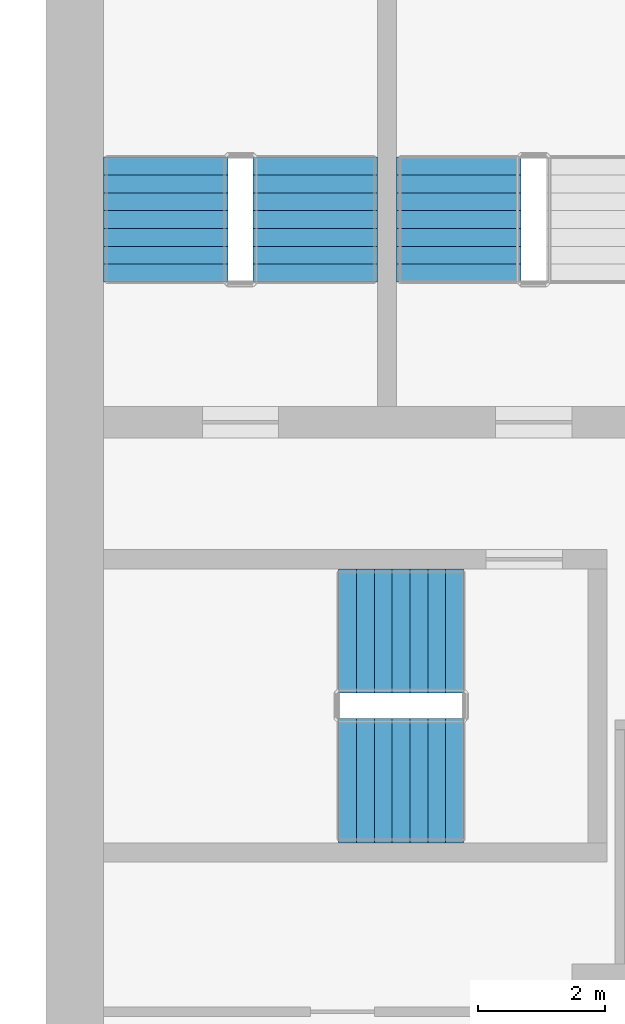
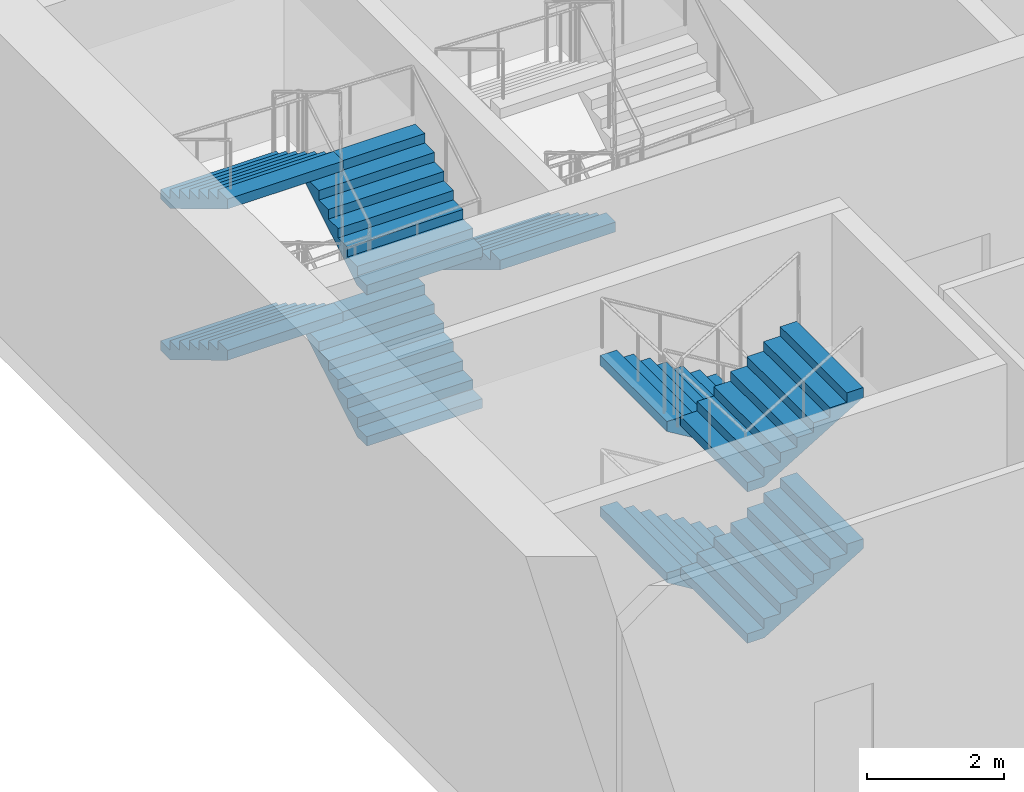
# One storey, part 25 of 43: 9 stair flights, 3 elements without a shape of their own.
"""IFC4 building model written with IfcOpenShell, lengths in metres."""

from ifc_helpers import new_model, si_unit, direction, frame, origin, place, context, subcontext, project, spatial, polyline, outline, extrude, material, type_object, element, aggregate, save


model = new_model("IFC4")

# Units and contexts
model_context = context("Model", 3, precision=1e-05, world=origin(), true_north=direction((0.0, 1.0)))
body_context = subcontext(model_context, "Body", "Model", "MODEL_VIEW")
ifc_project = project(units=[si_unit("LENGTHUNIT", "METRE"), si_unit("AREAUNIT", "SQUARE_METRE"), si_unit("VOLUMEUNIT", "CUBIC_METRE"), si_unit("PLANEANGLEUNIT", "RADIAN"), si_unit("MASSUNIT", "GRAM", prefix="KILO")], contexts=[model_context])

# Site, building, storey
site_placement = place(None, origin())
site = spatial("IfcSite", under=ifc_project, at=site_placement, CompositionType="ELEMENT")
building_placement = place(site_placement, origin())
building = spatial("IfcBuilding", under=site, at=building_placement, Name="Hunhe Ridgeline Campus", CompositionType="ELEMENT")
storey_placement = place(building_placement, frame((0.0, 0.0, 11.39990234375)))
storey = spatial("IfcBuildingStorey", under=building, at=storey_placement, Name="L02", CompositionType="ELEMENT", Elevation=11.39990234375)

# Stair, stair flights
ifc_material = material(Name="Concrete C40", Category="concrete")
stair_type = type_object("IfcStairType", Name="Reinforced concrete dog-leg stair 1950 Concrete C40", PredefinedType="HALF_TURN_STAIR", material=ifc_material)
stair_1_placement = place(storey_placement, origin())
stair_1 = element("IfcStair", 1, at=stair_1_placement, inside=storey, type_object=stair_type, Name="L02 S3", PredefinedType="HALF_TURN_STAIR")
stair_flight_type = type_object("IfcStairFlightType", Name="Reinforced concrete stair flight 1950 Concrete C40", PredefinedType="STRAIGHT", material=ifc_material)
stair_flight_1_placement = place(storey_placement, frame((4.22509765625, 65.449951171875, 0.0), z_axis=(0.0, 0.0, 1.0), x_axis=(0.0, 1.0, 0.0)))
stair_flight_1 = element("IfcStairFlight", 2, at=stair_flight_1_placement, type_object=stair_flight_type, Name="ST3 flight 1", NumberOfRisers=8, NumberOfTreads=7, PredefinedType="STRAIGHT", RiserHeight=0.16875, TreadLength=0.28, context=body_context, shape_type="SweptSolid", body=[
    extrude(outline(polyline([(0.0, 0.0), (0.0, 0.168701171875), (0.280029296875, 0.168701171875), (0.280029296875, 0.33740234375), (0.56005859375, 0.33740234375), (0.56005859375, 0.50634765625), (0.840087890625, 0.50634765625), (0.840087890625, 0.675048828125), (1.1201171875, 0.675048828125), (1.1201171875, 0.84375), (1.39990234375, 0.84375), (1.39990234375, 1.012451171875), (1.679931640625, 1.012451171875), (1.679931640625, 1.18115234375), (1.9599609375, 1.18115234375), (1.9599609375, 1.35009765625), (1.9599609375, 1.00634765625), (0.29052734375, 0.0), (0.0, 0.0)])), frame((0.0, 0.97509765625, 0.0), z_axis=(0.0, -1.0, 0.0), x_axis=(1.0, 0.0, 0.0)), (0.0, 0.0, 1.0), 1.949951171875),
    extrude(outline(polyline([(0.030029296875, 0.030029296875), (0.030029296875, 0.138916015625), (0.31005859375, 0.138916015625), (0.31005859375, 0.3076171875), (0.590087890625, 0.3076171875), (0.590087890625, 0.476318359375), (0.8701171875, 0.476318359375), (0.8701171875, 0.64501953125), (1.14990234375, 0.64501953125), (1.14990234375, 0.813720703125), (1.429931640625, 0.813720703125), (1.429931640625, 0.982421875), (1.7099609375, 0.982421875), (1.7099609375, 1.1513671875), (1.929931640625, 1.1513671875), (1.929931640625, 1.023193359375), (0.281982421875, 0.030029296875), (0.030029296875, 0.030029296875)])), frame((0.0, -0.070068359375, 0.0), z_axis=(0.0, -1.0, 0.0), x_axis=(1.0, 0.0, 0.0)), (0.0, 0.0, 1.0), 0.019775390625),
    extrude(outline(polyline([(0.030029296875, 0.030029296875), (0.030029296875, 0.138916015625), (0.31005859375, 0.138916015625), (0.31005859375, 0.3076171875), (0.590087890625, 0.3076171875), (0.590087890625, 0.476318359375), (0.8701171875, 0.476318359375), (0.8701171875, 0.64501953125), (1.14990234375, 0.64501953125), (1.14990234375, 0.813720703125), (1.429931640625, 0.813720703125), (1.429931640625, 0.982421875), (1.7099609375, 0.982421875), (1.7099609375, 1.1513671875), (1.929931640625, 1.1513671875), (1.929931640625, 1.023193359375), (0.281982421875, 0.030029296875), (0.030029296875, 0.030029296875)])), frame((0.0, 0.010009765625, 0.0), z_axis=(0.0, -1.0, 0.0), x_axis=(1.0, 0.0, 0.0)), (0.0, 0.0, 1.0), 0.019775390625),
    extrude(outline(polyline([(0.030029296875, 0.030029296875), (0.030029296875, 0.138916015625), (0.31005859375, 0.138916015625), (0.31005859375, 0.3076171875), (0.590087890625, 0.3076171875), (0.590087890625, 0.476318359375), (0.8701171875, 0.476318359375), (0.8701171875, 0.64501953125), (1.14990234375, 0.64501953125), (1.14990234375, 0.813720703125), (1.429931640625, 0.813720703125), (1.429931640625, 0.982421875), (1.7099609375, 0.982421875), (1.7099609375, 1.1513671875), (1.929931640625, 1.1513671875), (1.929931640625, 1.023193359375), (0.281982421875, 0.030029296875), (0.030029296875, 0.030029296875)])), frame((0.0, 0.090087890625, 0.0), z_axis=(0.0, -1.0, 0.0), x_axis=(1.0, 0.0, 0.0)), (0.0, 0.0, 1.0), 0.019775390625),
])
stair_flight_2_placement = place(storey_placement, frame((1.875, 67.409912109375, 1.35009765625), z_axis=(0.0, 0.0, 1.0), x_axis=(0.0, -1.0, 0.0)))
stair_flight_2 = element("IfcStairFlight", 3, at=stair_flight_2_placement, type_object=stair_flight_type, Name="ST3 flight 2", NumberOfRisers=8, NumberOfTreads=7, PredefinedType="STRAIGHT", RiserHeight=0.16875, TreadLength=0.28, context=body_context, shape_type="SweptSolid", body=[
    extrude(outline(polyline([(0.0, 0.0), (0.0, 0.168701171875), (0.280029296875, 0.168701171875), (0.280029296875, 0.33740234375), (0.56005859375, 0.33740234375), (0.56005859375, 0.50634765625), (0.840087890625, 0.50634765625), (0.840087890625, 0.675048828125), (1.1201171875, 0.675048828125), (1.1201171875, 0.84375), (1.39990234375, 0.84375), (1.39990234375, 1.012451171875), (1.679931640625, 1.012451171875), (1.679931640625, 1.18115234375), (1.9599609375, 1.18115234375), (1.9599609375, 1.35009765625), (1.9599609375, 1.00634765625), (0.29052734375, 0.0), (0.0, 0.0)])), frame((0.0, 0.97509765625, 0.0), z_axis=(0.0, -1.0, 0.0), x_axis=(1.0, 0.0, 0.0)), (0.0, 0.0, 1.0), 1.949951171875),
    extrude(outline(polyline([(0.030029296875, 0.030029296875), (0.030029296875, 0.138916015625), (0.31005859375, 0.138916015625), (0.31005859375, 0.3076171875), (0.590087890625, 0.3076171875), (0.590087890625, 0.476318359375), (0.8701171875, 0.476318359375), (0.8701171875, 0.64501953125), (1.14990234375, 0.64501953125), (1.14990234375, 0.813720703125), (1.429931640625, 0.813720703125), (1.429931640625, 0.982421875), (1.7099609375, 0.982421875), (1.7099609375, 1.1513671875), (1.929931640625, 1.1513671875), (1.929931640625, 1.023193359375), (0.281982421875, 0.030029296875), (0.030029296875, 0.030029296875)])), frame((0.0, -0.070068359375, 0.0), z_axis=(0.0, -1.0, 0.0), x_axis=(1.0, 0.0, 0.0)), (0.0, 0.0, 1.0), 0.019775390625),
    extrude(outline(polyline([(0.030029296875, 0.030029296875), (0.030029296875, 0.138916015625), (0.31005859375, 0.138916015625), (0.31005859375, 0.3076171875), (0.590087890625, 0.3076171875), (0.590087890625, 0.476318359375), (0.8701171875, 0.476318359375), (0.8701171875, 0.64501953125), (1.14990234375, 0.64501953125), (1.14990234375, 0.813720703125), (1.429931640625, 0.813720703125), (1.429931640625, 0.982421875), (1.7099609375, 0.982421875), (1.7099609375, 1.1513671875), (1.929931640625, 1.1513671875), (1.929931640625, 1.023193359375), (0.281982421875, 0.030029296875), (0.030029296875, 0.030029296875)])), frame((0.0, 0.010009765625, 0.0), z_axis=(0.0, -1.0, 0.0), x_axis=(1.0, 0.0, 0.0)), (0.0, 0.0, 1.0), 0.019775390625),
    extrude(outline(polyline([(0.030029296875, 0.030029296875), (0.030029296875, 0.138916015625), (0.31005859375, 0.138916015625), (0.31005859375, 0.3076171875), (0.590087890625, 0.3076171875), (0.590087890625, 0.476318359375), (0.8701171875, 0.476318359375), (0.8701171875, 0.64501953125), (1.14990234375, 0.64501953125), (1.14990234375, 0.813720703125), (1.429931640625, 0.813720703125), (1.429931640625, 0.982421875), (1.7099609375, 0.982421875), (1.7099609375, 1.1513671875), (1.929931640625, 1.1513671875), (1.929931640625, 1.023193359375), (0.281982421875, 0.030029296875), (0.030029296875, 0.030029296875)])), frame((0.0, 0.090087890625, 0.0), z_axis=(0.0, -1.0, 0.0), x_axis=(1.0, 0.0, 0.0)), (0.0, 0.0, 1.0), 0.019775390625),
])
stair_flight_3_placement = place(storey_placement, frame((4.22509765625, 65.449951171875, 2.7001953125), z_axis=(0.0, 0.0, 1.0), x_axis=(0.0, 1.0, 0.0)))
stair_flight_3 = element("IfcStairFlight", 4, at=stair_flight_3_placement, type_object=stair_flight_type, Name="ST3 flight 3", NumberOfRisers=8, NumberOfTreads=7, PredefinedType="STRAIGHT", RiserHeight=0.16875, TreadLength=0.28, context=body_context, shape_type="SweptSolid", body=[
    extrude(outline(polyline([(0.0, 0.0), (0.0, 0.168701171875), (0.280029296875, 0.168701171875), (0.280029296875, 0.33740234375), (0.56005859375, 0.33740234375), (0.56005859375, 0.50634765625), (0.840087890625, 0.50634765625), (0.840087890625, 0.675048828125), (1.1201171875, 0.675048828125), (1.1201171875, 0.84375), (1.39990234375, 0.84375), (1.39990234375, 1.012451171875), (1.679931640625, 1.012451171875), (1.679931640625, 1.18115234375), (1.9599609375, 1.18115234375), (1.9599609375, 1.35009765625), (1.9599609375, 1.00634765625), (0.29052734375, 0.0), (0.0, 0.0)])), frame((0.0, 0.97509765625, 0.0), z_axis=(0.0, -1.0, 0.0), x_axis=(1.0, 0.0, 0.0)), (0.0, 0.0, 1.0), 1.949951171875),
    extrude(outline(polyline([(0.030029296875, 0.030029296875), (0.030029296875, 0.138916015625), (0.31005859375, 0.138916015625), (0.31005859375, 0.3076171875), (0.590087890625, 0.3076171875), (0.590087890625, 0.476318359375), (0.8701171875, 0.476318359375), (0.8701171875, 0.64501953125), (1.14990234375, 0.64501953125), (1.14990234375, 0.813720703125), (1.429931640625, 0.813720703125), (1.429931640625, 0.982421875), (1.7099609375, 0.982421875), (1.7099609375, 1.1513671875), (1.929931640625, 1.1513671875), (1.929931640625, 1.023193359375), (0.281982421875, 0.030029296875), (0.030029296875, 0.030029296875)])), frame((0.0, -0.070068359375, 0.0), z_axis=(0.0, -1.0, 0.0), x_axis=(1.0, 0.0, 0.0)), (0.0, 0.0, 1.0), 0.019775390625),
    extrude(outline(polyline([(0.030029296875, 0.030029296875), (0.030029296875, 0.138916015625), (0.31005859375, 0.138916015625), (0.31005859375, 0.3076171875), (0.590087890625, 0.3076171875), (0.590087890625, 0.476318359375), (0.8701171875, 0.476318359375), (0.8701171875, 0.64501953125), (1.14990234375, 0.64501953125), (1.14990234375, 0.813720703125), (1.429931640625, 0.813720703125), (1.429931640625, 0.982421875), (1.7099609375, 0.982421875), (1.7099609375, 1.1513671875), (1.929931640625, 1.1513671875), (1.929931640625, 1.023193359375), (0.281982421875, 0.030029296875), (0.030029296875, 0.030029296875)])), frame((0.0, 0.010009765625, 0.0), z_axis=(0.0, -1.0, 0.0), x_axis=(1.0, 0.0, 0.0)), (0.0, 0.0, 1.0), 0.019775390625),
    extrude(outline(polyline([(0.030029296875, 0.030029296875), (0.030029296875, 0.138916015625), (0.31005859375, 0.138916015625), (0.31005859375, 0.3076171875), (0.590087890625, 0.3076171875), (0.590087890625, 0.476318359375), (0.8701171875, 0.476318359375), (0.8701171875, 0.64501953125), (1.14990234375, 0.64501953125), (1.14990234375, 0.813720703125), (1.429931640625, 0.813720703125), (1.429931640625, 0.982421875), (1.7099609375, 0.982421875), (1.7099609375, 1.1513671875), (1.929931640625, 1.1513671875), (1.929931640625, 1.023193359375), (0.281982421875, 0.030029296875), (0.030029296875, 0.030029296875)])), frame((0.0, 0.090087890625, 0.0), z_axis=(0.0, -1.0, 0.0), x_axis=(1.0, 0.0, 0.0)), (0.0, 0.0, 1.0), 0.019775390625),
])
stair_flight_4_placement = place(storey_placement, frame((1.875, 67.409912109375, 4.050048828125), z_axis=(0.0, 0.0, 1.0), x_axis=(0.0, -1.0, 0.0)))
stair_flight_4 = element("IfcStairFlight", 5, at=stair_flight_4_placement, type_object=stair_flight_type, Name="ST3 flight 4", NumberOfRisers=8, NumberOfTreads=7, PredefinedType="STRAIGHT", RiserHeight=0.16875, TreadLength=0.28, context=body_context, shape_type="SweptSolid", body=[
    extrude(outline(polyline([(0.0, 0.0), (0.0, 0.168701171875), (0.280029296875, 0.168701171875), (0.280029296875, 0.33740234375), (0.56005859375, 0.33740234375), (0.56005859375, 0.50634765625), (0.840087890625, 0.50634765625), (0.840087890625, 0.675048828125), (1.1201171875, 0.675048828125), (1.1201171875, 0.84375), (1.39990234375, 0.84375), (1.39990234375, 1.012451171875), (1.679931640625, 1.012451171875), (1.679931640625, 1.18115234375), (1.9599609375, 1.18115234375), (1.9599609375, 1.35009765625), (1.9599609375, 1.00634765625), (0.29052734375, 0.0), (0.0, 0.0)])), frame((0.0, 0.97509765625, 0.0), z_axis=(0.0, -1.0, 0.0), x_axis=(1.0, 0.0, 0.0)), (0.0, 0.0, 1.0), 1.949951171875),
    extrude(outline(polyline([(0.030029296875, 0.030029296875), (0.030029296875, 0.138916015625), (0.31005859375, 0.138916015625), (0.31005859375, 0.3076171875), (0.590087890625, 0.3076171875), (0.590087890625, 0.476318359375), (0.8701171875, 0.476318359375), (0.8701171875, 0.64501953125), (1.14990234375, 0.64501953125), (1.14990234375, 0.813720703125), (1.429931640625, 0.813720703125), (1.429931640625, 0.982421875), (1.7099609375, 0.982421875), (1.7099609375, 1.1513671875), (1.929931640625, 1.1513671875), (1.929931640625, 1.023193359375), (0.281982421875, 0.030029296875), (0.030029296875, 0.030029296875)])), frame((0.0, -0.070068359375, 0.0), z_axis=(0.0, -1.0, 0.0), x_axis=(1.0, 0.0, 0.0)), (0.0, 0.0, 1.0), 0.019775390625),
    extrude(outline(polyline([(0.030029296875, 0.030029296875), (0.030029296875, 0.138916015625), (0.31005859375, 0.138916015625), (0.31005859375, 0.3076171875), (0.590087890625, 0.3076171875), (0.590087890625, 0.476318359375), (0.8701171875, 0.476318359375), (0.8701171875, 0.64501953125), (1.14990234375, 0.64501953125), (1.14990234375, 0.813720703125), (1.429931640625, 0.813720703125), (1.429931640625, 0.982421875), (1.7099609375, 0.982421875), (1.7099609375, 1.1513671875), (1.929931640625, 1.1513671875), (1.929931640625, 1.023193359375), (0.281982421875, 0.030029296875), (0.030029296875, 0.030029296875)])), frame((0.0, 0.010009765625, 0.0), z_axis=(0.0, -1.0, 0.0), x_axis=(1.0, 0.0, 0.0)), (0.0, 0.0, 1.0), 0.019775390625),
    extrude(outline(polyline([(0.030029296875, 0.030029296875), (0.030029296875, 0.138916015625), (0.31005859375, 0.138916015625), (0.31005859375, 0.3076171875), (0.590087890625, 0.3076171875), (0.590087890625, 0.476318359375), (0.8701171875, 0.476318359375), (0.8701171875, 0.64501953125), (1.14990234375, 0.64501953125), (1.14990234375, 0.813720703125), (1.429931640625, 0.813720703125), (1.429931640625, 0.982421875), (1.7099609375, 0.982421875), (1.7099609375, 1.1513671875), (1.929931640625, 1.1513671875), (1.929931640625, 1.023193359375), (0.281982421875, 0.030029296875), (0.030029296875, 0.030029296875)])), frame((0.0, 0.090087890625, 0.0), z_axis=(0.0, -1.0, 0.0), x_axis=(1.0, 0.0, 0.0)), (0.0, 0.0, 1.0), 0.019775390625),
])
aggregate(stair_1, [stair_flight_1, stair_flight_2, stair_flight_3, stair_flight_4])

# Stair, stair flight
stair_2_placement = place(storey_placement, origin())
stair_2 = element("IfcStair", 6, at=stair_2_placement, inside=storey, type_object=stair_type, Name="L02 S4", PredefinedType="HALF_TURN_STAIR")
stair_flight_5_placement = place(storey_placement, frame((6.47509765625, 67.409912109375, 1.35009765625), z_axis=(0.0, 0.0, 1.0), x_axis=(0.0, -1.0, 0.0)))
stair_flight_5 = element("IfcStairFlight", 7, at=stair_flight_5_placement, type_object=stair_flight_type, Name="ST4 flight 2", NumberOfRisers=8, NumberOfTreads=7, PredefinedType="STRAIGHT", RiserHeight=0.16875, TreadLength=0.28, context=body_context, shape_type="SweptSolid", body=[
    extrude(outline(polyline([(0.0, 0.0), (0.0, 0.168701171875), (0.280029296875, 0.168701171875), (0.280029296875, 0.33740234375), (0.56005859375, 0.33740234375), (0.56005859375, 0.50634765625), (0.840087890625, 0.50634765625), (0.840087890625, 0.675048828125), (1.1201171875, 0.675048828125), (1.1201171875, 0.84375), (1.39990234375, 0.84375), (1.39990234375, 1.012451171875), (1.679931640625, 1.012451171875), (1.679931640625, 1.18115234375), (1.9599609375, 1.18115234375), (1.9599609375, 1.35009765625), (1.9599609375, 1.00634765625), (0.29052734375, 0.0), (0.0, 0.0)])), frame((0.0, 0.97509765625, 0.0), z_axis=(0.0, -1.0, 0.0), x_axis=(1.0, 0.0, 0.0)), (0.0, 0.0, 1.0), 1.949951171875),
    extrude(outline(polyline([(0.030029296875, 0.030029296875), (0.030029296875, 0.138916015625), (0.31005859375, 0.138916015625), (0.31005859375, 0.3076171875), (0.590087890625, 0.3076171875), (0.590087890625, 0.476318359375), (0.8701171875, 0.476318359375), (0.8701171875, 0.64501953125), (1.14990234375, 0.64501953125), (1.14990234375, 0.813720703125), (1.429931640625, 0.813720703125), (1.429931640625, 0.982421875), (1.7099609375, 0.982421875), (1.7099609375, 1.1513671875), (1.929931640625, 1.1513671875), (1.929931640625, 1.023193359375), (0.281982421875, 0.030029296875), (0.030029296875, 0.030029296875)])), frame((0.0, -0.070068359375, 0.0), z_axis=(0.0, -1.0, 0.0), x_axis=(1.0, 0.0, 0.0)), (0.0, 0.0, 1.0), 0.019775390625),
    extrude(outline(polyline([(0.030029296875, 0.030029296875), (0.030029296875, 0.138916015625), (0.31005859375, 0.138916015625), (0.31005859375, 0.3076171875), (0.590087890625, 0.3076171875), (0.590087890625, 0.476318359375), (0.8701171875, 0.476318359375), (0.8701171875, 0.64501953125), (1.14990234375, 0.64501953125), (1.14990234375, 0.813720703125), (1.429931640625, 0.813720703125), (1.429931640625, 0.982421875), (1.7099609375, 0.982421875), (1.7099609375, 1.1513671875), (1.929931640625, 1.1513671875), (1.929931640625, 1.023193359375), (0.281982421875, 0.030029296875), (0.030029296875, 0.030029296875)])), frame((0.0, 0.010009765625, 0.0), z_axis=(0.0, -1.0, 0.0), x_axis=(1.0, 0.0, 0.0)), (0.0, 0.0, 1.0), 0.019775390625),
    extrude(outline(polyline([(0.030029296875, 0.030029296875), (0.030029296875, 0.138916015625), (0.31005859375, 0.138916015625), (0.31005859375, 0.3076171875), (0.590087890625, 0.3076171875), (0.590087890625, 0.476318359375), (0.8701171875, 0.476318359375), (0.8701171875, 0.64501953125), (1.14990234375, 0.64501953125), (1.14990234375, 0.813720703125), (1.429931640625, 0.813720703125), (1.429931640625, 0.982421875), (1.7099609375, 0.982421875), (1.7099609375, 1.1513671875), (1.929931640625, 1.1513671875), (1.929931640625, 1.023193359375), (0.281982421875, 0.030029296875), (0.030029296875, 0.030029296875)])), frame((0.0, 0.090087890625, 0.0), z_axis=(0.0, -1.0, 0.0), x_axis=(1.0, 0.0, 0.0)), (0.0, 0.0, 1.0), 0.019775390625),
])
aggregate(stair_2, [stair_flight_5])

# Stair, stair flights
stair_3_placement = place(storey_placement, origin())
stair_3 = element("IfcStair", 8, at=stair_3_placement, inside=storey, type_object=stair_type, Name="L02 W2", PredefinedType="HALF_TURN_STAIR")
stair_flight_6_placement = place(storey_placement, frame((6.550048828125, 59.97509765625, 0.0), z_axis=(0.0, 0.0, 1.0), x_axis=(-1.0, 0.0, 0.0)))
stair_flight_6 = element("IfcStairFlight", 9, at=stair_flight_6_placement, type_object=stair_flight_type, Name="ST12 flight 1", NumberOfRisers=8, NumberOfTreads=7, PredefinedType="STRAIGHT", RiserHeight=0.16875, TreadLength=0.28, context=body_context, shape_type="SweptSolid", body=[
    extrude(outline(polyline([(0.0, 0.0), (0.0, 0.168701171875), (0.280029296875, 0.168701171875), (0.280029296875, 0.33740234375), (0.56005859375, 0.33740234375), (0.56005859375, 0.50634765625), (0.840087890625, 0.50634765625), (0.840087890625, 0.675048828125), (1.1201171875, 0.675048828125), (1.1201171875, 0.84375), (1.39990234375, 0.84375), (1.39990234375, 1.012451171875), (1.679931640625, 1.012451171875), (1.679931640625, 1.18115234375), (1.9599609375, 1.18115234375), (1.9599609375, 1.35009765625), (1.9599609375, 1.00634765625), (0.29052734375, 0.0), (0.0, 0.0)])), frame((0.0, 0.97509765625, 0.0), z_axis=(0.0, -1.0, 0.0), x_axis=(1.0, 0.0, 0.0)), (0.0, 0.0, 1.0), 1.949951171875),
    extrude(outline(polyline([(0.030029296875, 0.030029296875), (0.030029296875, 0.138916015625), (0.31005859375, 0.138916015625), (0.31005859375, 0.3076171875), (0.590087890625, 0.3076171875), (0.590087890625, 0.476318359375), (0.8701171875, 0.476318359375), (0.8701171875, 0.64501953125), (1.14990234375, 0.64501953125), (1.14990234375, 0.813720703125), (1.429931640625, 0.813720703125), (1.429931640625, 0.982421875), (1.7099609375, 0.982421875), (1.7099609375, 1.1513671875), (1.929931640625, 1.1513671875), (1.929931640625, 1.023193359375), (0.281982421875, 0.030029296875), (0.030029296875, 0.030029296875)])), frame((0.0, -0.070068359375, 0.0), z_axis=(0.0, -1.0, 0.0), x_axis=(1.0, 0.0, 0.0)), (0.0, 0.0, 1.0), 0.019775390625),
    extrude(outline(polyline([(0.030029296875, 0.030029296875), (0.030029296875, 0.138916015625), (0.31005859375, 0.138916015625), (0.31005859375, 0.3076171875), (0.590087890625, 0.3076171875), (0.590087890625, 0.476318359375), (0.8701171875, 0.476318359375), (0.8701171875, 0.64501953125), (1.14990234375, 0.64501953125), (1.14990234375, 0.813720703125), (1.429931640625, 0.813720703125), (1.429931640625, 0.982421875), (1.7099609375, 0.982421875), (1.7099609375, 1.1513671875), (1.929931640625, 1.1513671875), (1.929931640625, 1.023193359375), (0.281982421875, 0.030029296875), (0.030029296875, 0.030029296875)])), frame((0.0, 0.010009765625, 0.0), z_axis=(0.0, -1.0, 0.0), x_axis=(1.0, 0.0, 0.0)), (0.0, 0.0, 1.0), 0.019775390625),
    extrude(outline(polyline([(0.030029296875, 0.030029296875), (0.030029296875, 0.138916015625), (0.31005859375, 0.138916015625), (0.31005859375, 0.3076171875), (0.590087890625, 0.3076171875), (0.590087890625, 0.476318359375), (0.8701171875, 0.476318359375), (0.8701171875, 0.64501953125), (1.14990234375, 0.64501953125), (1.14990234375, 0.813720703125), (1.429931640625, 0.813720703125), (1.429931640625, 0.982421875), (1.7099609375, 0.982421875), (1.7099609375, 1.1513671875), (1.929931640625, 1.1513671875), (1.929931640625, 1.023193359375), (0.281982421875, 0.030029296875), (0.030029296875, 0.030029296875)])), frame((0.0, 0.090087890625, 0.0), z_axis=(0.0, -1.0, 0.0), x_axis=(1.0, 0.0, 0.0)), (0.0, 0.0, 1.0), 0.019775390625),
])
stair_flight_7_placement = place(storey_placement, frame((4.590087890625, 57.625, 1.35009765625), z_axis=(0.0, 0.0, 1.0), x_axis=(1.0, 0.0, 0.0)))
stair_flight_7 = element("IfcStairFlight", 10, at=stair_flight_7_placement, type_object=stair_flight_type, Name="ST12 flight 2", NumberOfRisers=8, NumberOfTreads=7, PredefinedType="STRAIGHT", RiserHeight=0.16875, TreadLength=0.28, context=body_context, shape_type="SweptSolid", body=[
    extrude(outline(polyline([(0.0, 0.0), (0.0, 0.168701171875), (0.280029296875, 0.168701171875), (0.280029296875, 0.33740234375), (0.56005859375, 0.33740234375), (0.56005859375, 0.50634765625), (0.840087890625, 0.50634765625), (0.840087890625, 0.675048828125), (1.1201171875, 0.675048828125), (1.1201171875, 0.84375), (1.39990234375, 0.84375), (1.39990234375, 1.012451171875), (1.679931640625, 1.012451171875), (1.679931640625, 1.18115234375), (1.9599609375, 1.18115234375), (1.9599609375, 1.35009765625), (1.9599609375, 1.00634765625), (0.29052734375, 0.0), (0.0, 0.0)])), frame((0.0, 0.97509765625, 0.0), z_axis=(0.0, -1.0, 0.0), x_axis=(1.0, 0.0, 0.0)), (0.0, 0.0, 1.0), 1.949951171875),
    extrude(outline(polyline([(0.030029296875, 0.030029296875), (0.030029296875, 0.138916015625), (0.31005859375, 0.138916015625), (0.31005859375, 0.3076171875), (0.590087890625, 0.3076171875), (0.590087890625, 0.476318359375), (0.8701171875, 0.476318359375), (0.8701171875, 0.64501953125), (1.14990234375, 0.64501953125), (1.14990234375, 0.813720703125), (1.429931640625, 0.813720703125), (1.429931640625, 0.982421875), (1.7099609375, 0.982421875), (1.7099609375, 1.1513671875), (1.929931640625, 1.1513671875), (1.929931640625, 1.023193359375), (0.281982421875, 0.030029296875), (0.030029296875, 0.030029296875)])), frame((0.0, -0.070068359375, 0.0), z_axis=(0.0, -1.0, 0.0), x_axis=(1.0, 0.0, 0.0)), (0.0, 0.0, 1.0), 0.019775390625),
    extrude(outline(polyline([(0.030029296875, 0.030029296875), (0.030029296875, 0.138916015625), (0.31005859375, 0.138916015625), (0.31005859375, 0.3076171875), (0.590087890625, 0.3076171875), (0.590087890625, 0.476318359375), (0.8701171875, 0.476318359375), (0.8701171875, 0.64501953125), (1.14990234375, 0.64501953125), (1.14990234375, 0.813720703125), (1.429931640625, 0.813720703125), (1.429931640625, 0.982421875), (1.7099609375, 0.982421875), (1.7099609375, 1.1513671875), (1.929931640625, 1.1513671875), (1.929931640625, 1.023193359375), (0.281982421875, 0.030029296875), (0.030029296875, 0.030029296875)])), frame((0.0, 0.010009765625, 0.0), z_axis=(0.0, -1.0, 0.0), x_axis=(1.0, 0.0, 0.0)), (0.0, 0.0, 1.0), 0.019775390625),
    extrude(outline(polyline([(0.030029296875, 0.030029296875), (0.030029296875, 0.138916015625), (0.31005859375, 0.138916015625), (0.31005859375, 0.3076171875), (0.590087890625, 0.3076171875), (0.590087890625, 0.476318359375), (0.8701171875, 0.476318359375), (0.8701171875, 0.64501953125), (1.14990234375, 0.64501953125), (1.14990234375, 0.813720703125), (1.429931640625, 0.813720703125), (1.429931640625, 0.982421875), (1.7099609375, 0.982421875), (1.7099609375, 1.1513671875), (1.929931640625, 1.1513671875), (1.929931640625, 1.023193359375), (0.281982421875, 0.030029296875), (0.030029296875, 0.030029296875)])), frame((0.0, 0.090087890625, 0.0), z_axis=(0.0, -1.0, 0.0), x_axis=(1.0, 0.0, 0.0)), (0.0, 0.0, 1.0), 0.019775390625),
])
stair_flight_8_placement = place(storey_placement, frame((6.550048828125, 59.97509765625, 2.7001953125), z_axis=(0.0, 0.0, 1.0), x_axis=(-1.0, 0.0, 0.0)))
stair_flight_8 = element("IfcStairFlight", 11, at=stair_flight_8_placement, type_object=stair_flight_type, Name="ST12 flight 3", NumberOfRisers=8, NumberOfTreads=7, PredefinedType="STRAIGHT", RiserHeight=0.16875, TreadLength=0.28, context=body_context, shape_type="SweptSolid", body=[
    extrude(outline(polyline([(0.0, 0.0), (0.0, 0.168701171875), (0.280029296875, 0.168701171875), (0.280029296875, 0.33740234375), (0.56005859375, 0.33740234375), (0.56005859375, 0.50634765625), (0.840087890625, 0.50634765625), (0.840087890625, 0.675048828125), (1.1201171875, 0.675048828125), (1.1201171875, 0.84375), (1.39990234375, 0.84375), (1.39990234375, 1.012451171875), (1.679931640625, 1.012451171875), (1.679931640625, 1.18115234375), (1.9599609375, 1.18115234375), (1.9599609375, 1.35009765625), (1.9599609375, 1.00634765625), (0.29052734375, 0.0), (0.0, 0.0)])), frame((0.0, 0.97509765625, 0.0), z_axis=(0.0, -1.0, 0.0), x_axis=(1.0, 0.0, 0.0)), (0.0, 0.0, 1.0), 1.949951171875),
    extrude(outline(polyline([(0.030029296875, 0.030029296875), (0.030029296875, 0.138916015625), (0.31005859375, 0.138916015625), (0.31005859375, 0.3076171875), (0.590087890625, 0.3076171875), (0.590087890625, 0.476318359375), (0.8701171875, 0.476318359375), (0.8701171875, 0.64501953125), (1.14990234375, 0.64501953125), (1.14990234375, 0.813720703125), (1.429931640625, 0.813720703125), (1.429931640625, 0.982421875), (1.7099609375, 0.982421875), (1.7099609375, 1.1513671875), (1.929931640625, 1.1513671875), (1.929931640625, 1.023193359375), (0.281982421875, 0.030029296875), (0.030029296875, 0.030029296875)])), frame((0.0, -0.070068359375, 0.0), z_axis=(0.0, -1.0, 0.0), x_axis=(1.0, 0.0, 0.0)), (0.0, 0.0, 1.0), 0.019775390625),
    extrude(outline(polyline([(0.030029296875, 0.030029296875), (0.030029296875, 0.138916015625), (0.31005859375, 0.138916015625), (0.31005859375, 0.3076171875), (0.590087890625, 0.3076171875), (0.590087890625, 0.476318359375), (0.8701171875, 0.476318359375), (0.8701171875, 0.64501953125), (1.14990234375, 0.64501953125), (1.14990234375, 0.813720703125), (1.429931640625, 0.813720703125), (1.429931640625, 0.982421875), (1.7099609375, 0.982421875), (1.7099609375, 1.1513671875), (1.929931640625, 1.1513671875), (1.929931640625, 1.023193359375), (0.281982421875, 0.030029296875), (0.030029296875, 0.030029296875)])), frame((0.0, 0.010009765625, 0.0), z_axis=(0.0, -1.0, 0.0), x_axis=(1.0, 0.0, 0.0)), (0.0, 0.0, 1.0), 0.019775390625),
    extrude(outline(polyline([(0.030029296875, 0.030029296875), (0.030029296875, 0.138916015625), (0.31005859375, 0.138916015625), (0.31005859375, 0.3076171875), (0.590087890625, 0.3076171875), (0.590087890625, 0.476318359375), (0.8701171875, 0.476318359375), (0.8701171875, 0.64501953125), (1.14990234375, 0.64501953125), (1.14990234375, 0.813720703125), (1.429931640625, 0.813720703125), (1.429931640625, 0.982421875), (1.7099609375, 0.982421875), (1.7099609375, 1.1513671875), (1.929931640625, 1.1513671875), (1.929931640625, 1.023193359375), (0.281982421875, 0.030029296875), (0.030029296875, 0.030029296875)])), frame((0.0, 0.090087890625, 0.0), z_axis=(0.0, -1.0, 0.0), x_axis=(1.0, 0.0, 0.0)), (0.0, 0.0, 1.0), 0.019775390625),
])
stair_flight_9_placement = place(storey_placement, frame((4.590087890625, 57.625, 4.050048828125), z_axis=(0.0, 0.0, 1.0), x_axis=(1.0, 0.0, 0.0)))
stair_flight_9 = element("IfcStairFlight", 12, at=stair_flight_9_placement, type_object=stair_flight_type, Name="ST12 flight 4", NumberOfRisers=8, NumberOfTreads=7, PredefinedType="STRAIGHT", RiserHeight=0.16875, TreadLength=0.28, context=body_context, shape_type="SweptSolid", body=[
    extrude(outline(polyline([(0.0, 0.0), (0.0, 0.168701171875), (0.280029296875, 0.168701171875), (0.280029296875, 0.33740234375), (0.56005859375, 0.33740234375), (0.56005859375, 0.50634765625), (0.840087890625, 0.50634765625), (0.840087890625, 0.675048828125), (1.1201171875, 0.675048828125), (1.1201171875, 0.84375), (1.39990234375, 0.84375), (1.39990234375, 1.012451171875), (1.679931640625, 1.012451171875), (1.679931640625, 1.18115234375), (1.9599609375, 1.18115234375), (1.9599609375, 1.35009765625), (1.9599609375, 1.00634765625), (0.29052734375, 0.0), (0.0, 0.0)])), frame((0.0, 0.97509765625, 0.0), z_axis=(0.0, -1.0, 0.0), x_axis=(1.0, 0.0, 0.0)), (0.0, 0.0, 1.0), 1.949951171875),
    extrude(outline(polyline([(0.030029296875, 0.030029296875), (0.030029296875, 0.138916015625), (0.31005859375, 0.138916015625), (0.31005859375, 0.3076171875), (0.590087890625, 0.3076171875), (0.590087890625, 0.476318359375), (0.8701171875, 0.476318359375), (0.8701171875, 0.64501953125), (1.14990234375, 0.64501953125), (1.14990234375, 0.813720703125), (1.429931640625, 0.813720703125), (1.429931640625, 0.982421875), (1.7099609375, 0.982421875), (1.7099609375, 1.1513671875), (1.929931640625, 1.1513671875), (1.929931640625, 1.023193359375), (0.281982421875, 0.030029296875), (0.030029296875, 0.030029296875)])), frame((0.0, -0.070068359375, 0.0), z_axis=(0.0, -1.0, 0.0), x_axis=(1.0, 0.0, 0.0)), (0.0, 0.0, 1.0), 0.019775390625),
    extrude(outline(polyline([(0.030029296875, 0.030029296875), (0.030029296875, 0.138916015625), (0.31005859375, 0.138916015625), (0.31005859375, 0.3076171875), (0.590087890625, 0.3076171875), (0.590087890625, 0.476318359375), (0.8701171875, 0.476318359375), (0.8701171875, 0.64501953125), (1.14990234375, 0.64501953125), (1.14990234375, 0.813720703125), (1.429931640625, 0.813720703125), (1.429931640625, 0.982421875), (1.7099609375, 0.982421875), (1.7099609375, 1.1513671875), (1.929931640625, 1.1513671875), (1.929931640625, 1.023193359375), (0.281982421875, 0.030029296875), (0.030029296875, 0.030029296875)])), frame((0.0, 0.010009765625, 0.0), z_axis=(0.0, -1.0, 0.0), x_axis=(1.0, 0.0, 0.0)), (0.0, 0.0, 1.0), 0.019775390625),
    extrude(outline(polyline([(0.030029296875, 0.030029296875), (0.030029296875, 0.138916015625), (0.31005859375, 0.138916015625), (0.31005859375, 0.3076171875), (0.590087890625, 0.3076171875), (0.590087890625, 0.476318359375), (0.8701171875, 0.476318359375), (0.8701171875, 0.64501953125), (1.14990234375, 0.64501953125), (1.14990234375, 0.813720703125), (1.429931640625, 0.813720703125), (1.429931640625, 0.982421875), (1.7099609375, 0.982421875), (1.7099609375, 1.1513671875), (1.929931640625, 1.1513671875), (1.929931640625, 1.023193359375), (0.281982421875, 0.030029296875), (0.030029296875, 0.030029296875)])), frame((0.0, 0.090087890625, 0.0), z_axis=(0.0, -1.0, 0.0), x_axis=(1.0, 0.0, 0.0)), (0.0, 0.0, 1.0), 0.019775390625),
])
aggregate(stair_3, [stair_flight_6, stair_flight_7, stair_flight_8, stair_flight_9])

save(model, "model.ifc")
